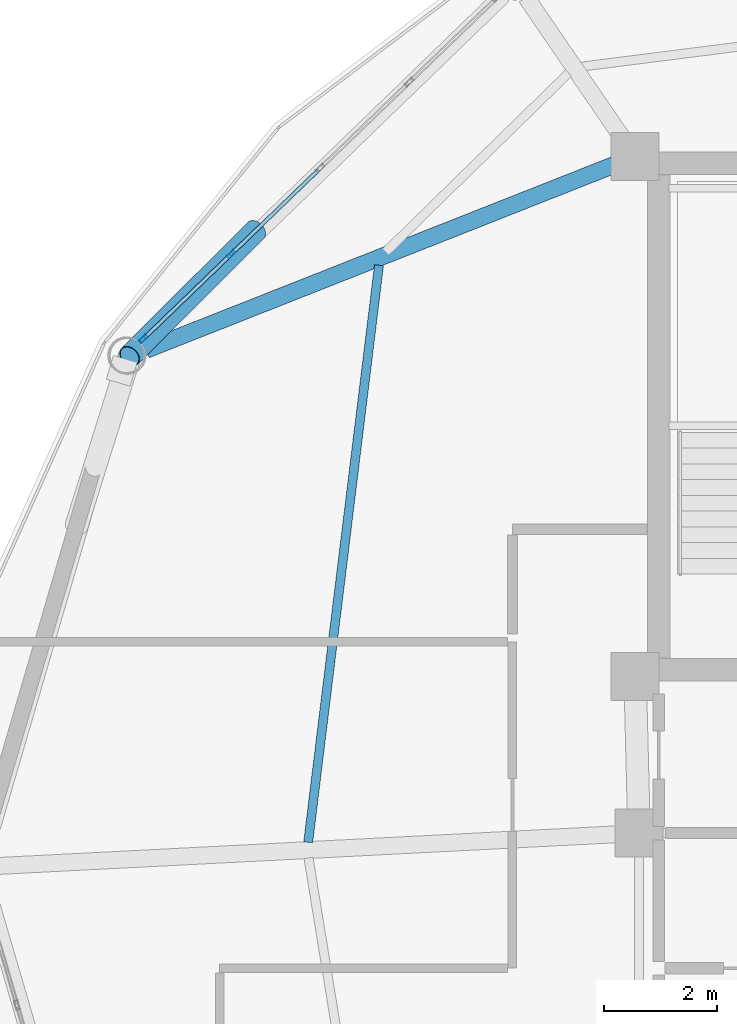
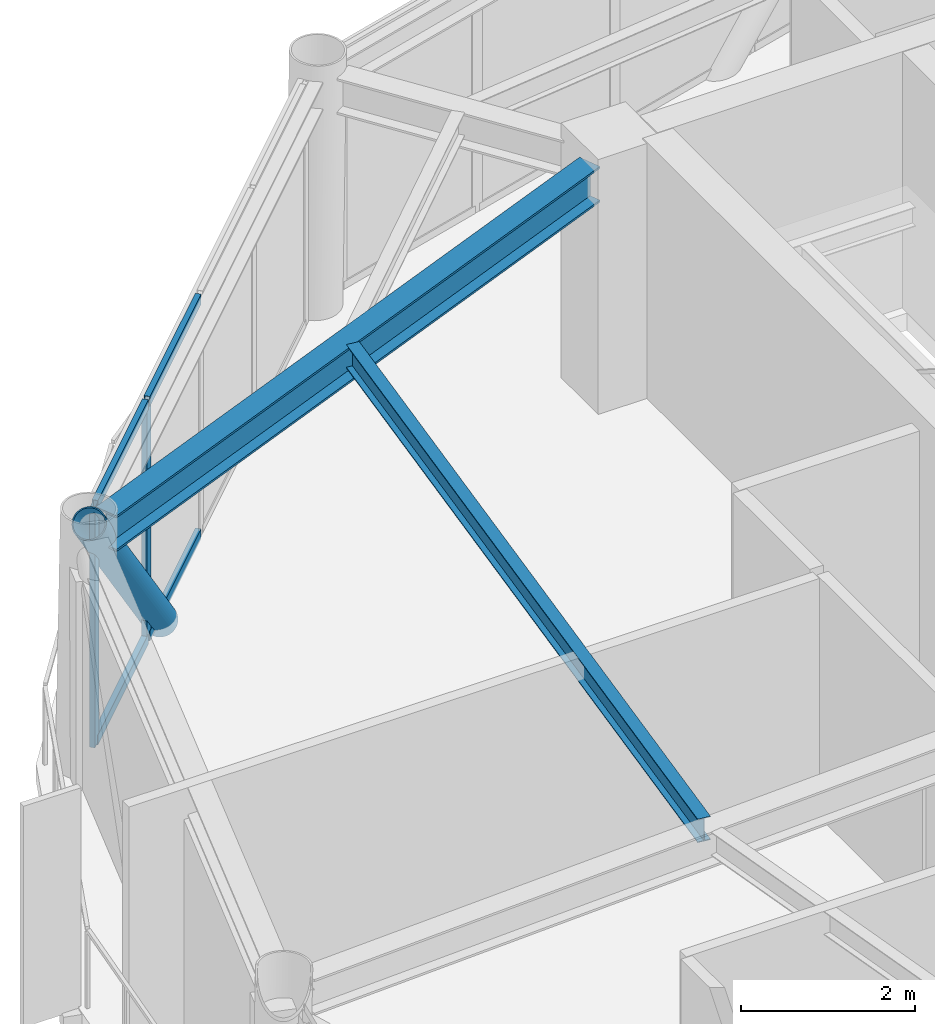
# One storey, part 12 of 26: 7 members, 2 beams, 1 element without a shape of its own.
"""IFC4 building model written with IfcOpenShell, lengths in metres."""

from ifc_helpers import new_model, si_unit, direction, frame, origin, origin_2d, place, context, subcontext, project, spatial, hollow_rectangle, hollow_circle, i_section, extrude, material, layer, layer_set, material_profile, profile_set, type_object, element, aggregate, save


model = new_model("IFC4")

# Units and contexts
model_context = context("Model", 3, precision=1e-05, world=origin(), true_north=direction((0.0, 1.0)))
body_context = subcontext(model_context, "Body", "Model", "MODEL_VIEW")
ifc_project = project(units=[si_unit("LENGTHUNIT", "METRE"), si_unit("AREAUNIT", "SQUARE_METRE"), si_unit("VOLUMEUNIT", "CUBIC_METRE"), si_unit("PLANEANGLEUNIT", "RADIAN"), si_unit("MASSUNIT", "GRAM", prefix="KILO")], contexts=[model_context])

# Site, building, storey
site_placement = place(None, origin())
site = spatial("IfcSite", under=ifc_project, at=site_placement, CompositionType="ELEMENT")
building_placement = place(site_placement, origin())
building = spatial("IfcBuilding", under=site, at=building_placement, Name="Varnakorn Sky Granary", CompositionType="ELEMENT")
storey_placement = place(building_placement, frame((0.0, 0.0, 222.0)))
storey = spatial("IfcBuildingStorey", under=building, at=storey_placement, Name="L56", CompositionType="ELEMENT", Elevation=222.0)

# Beams
ifc_material_1 = material(Name="Steel S355JR", Category="steel")
ifc_material_profile_1 = material_profile(ifc_material_1, i_section(OverallWidth=0.300048828125, OverallDepth=0.5, WebThickness=0.014404296875, FlangeThickness=0.028076171875, at=origin_2d()), Name="HE 500 B")
ifc_profile_set_1 = profile_set([ifc_material_profile_1], Name="Steel S355JR")
beam_type_1 = type_object("IfcBeamType", Name="BM-RAD-Z4", PredefinedType="BEAM", material=ifc_profile_set_1)
beam_1_placement = place(storey_placement, frame((-2.796630859375, 12.47119140625, 3.110107421875), z_axis=(-0.930022602979, -0.367502323732, 0.0), x_axis=(0.367502323732, -0.930022602979, 0.0)))
element("IfcBeam", 1, at=beam_1_placement, inside=storey, type_object=beam_type_1, Name="Radial Floor Girder RG06 L56", PredefinedType="BEAM", context=body_context, shape_type="SweptSolid", body=[
    extrude(i_section(OverallWidth=0.300048828125, OverallDepth=0.5, WebThickness=0.014404296875, FlangeThickness=0.028076171875, at=origin_2d()), origin(), (0.0, 0.0, 1.0), 8.9384765625),
])
ifc_material_profile_2 = material_profile(ifc_material_1, i_section(OverallWidth=0.159912109375, OverallDepth=0.330078125, WebThickness=0.007568359375, FlangeThickness=0.011474609375, at=origin_2d()), Name="IPE 330")
ifc_profile_set_2 = profile_set([ifc_material_profile_2], Name="Steel S355JR")
beam_type_2 = type_object("IfcBeamType", Name="BM-SEC-Z4", PredefinedType="BEAM", material=ifc_profile_set_2)
beam_2_placement = place(storey_placement, frame((-6.97021484375, 10.689697265625, 3.195068359375), z_axis=(-0.121858623303, -0.992547467846, 0.0), x_axis=(0.992547467846, -0.121858623303, 0.0)))
element("IfcBeam", 2, at=beam_2_placement, inside=storey, type_object=beam_type_2, Name="Secondary Floor Chord Beam MSB06 L56", PredefinedType="BEAM", context=body_context, shape_type="SweptSolid", body=[
    extrude(i_section(OverallWidth=0.159912109375, OverallDepth=0.330078125, WebThickness=0.007568359375, FlangeThickness=0.011474609375, at=origin_2d()), origin(), (0.0, 0.0, 1.0), 10.329833984375),
])

# Curtain wall, members
ifc_material_2 = material(Name="Anodised Bronze Aluminium Alloy 6063-T6", Category="aluminium")
ifc_layer = layer(ifc_material_2, 0.169921875, Name="Anodised Bronze Aluminium Alloy 6063-T6")
ifc_layer_set = layer_set([ifc_layer], Name="Anodised Bronze Aluminium Alloy 6063-T6")
curtain_wall_type = type_object("IfcCurtainWallType", Name="CW-LAB-1", PredefinedType="USERDEFINED", material=ifc_layer_set)
curtain_wall_placement = place(storey_placement, origin())
curtain_wall = element("IfcCurtainWall", 3, at=curtain_wall_placement, inside=storey, type_object=curtain_wall_type, Name="Unitised Curtain Wall CW5 CW-L56-B05", ObjectType="CURTAIN WALL", PredefinedType="USERDEFINED")
ifc_material_profile_3 = material_profile(ifc_material_2, hollow_rectangle(XDim=0.06494140625, YDim=0.159912109375, WallThickness=0.00341796875, at=origin_2d()), Name="ALU MULL 65x160")
ifc_profile_set_3 = profile_set([ifc_material_profile_3], Name="Anodised Bronze Aluminium Alloy 6063-T6")
member_type_1 = type_object("IfcMemberType", Name="CW-LAB-1-MULL", PredefinedType="MULLION", material=ifc_profile_set_3)
member_1_placement = place(storey_placement, frame((-11.15673828125, 9.380859375, 0.0), z_axis=(0.0, 0.0, 1.0), x_axis=(-0.694404067281, 0.719585291222, 0.0)))
member_1 = element("IfcMember", 4, at=member_1_placement, type_object=member_type_1, Name="CW5 mullion 1", PredefinedType="MULLION", context=body_context, shape_type="SweptSolid", body=[
    extrude(hollow_rectangle(XDim=0.06494140625, YDim=0.159912109375, WallThickness=0.00341796875, at=origin_2d()), origin(), (0.0, 0.0, 1.0), 3.360107421875),
])
member_2_placement = place(storey_placement, frame((-9.596923828125, 10.885986328125, 0.0), z_axis=(0.0, 0.0, 1.0), x_axis=(-0.694404067281, 0.719585291222, 0.0)))
member_2 = element("IfcMember", 5, at=member_2_placement, type_object=member_type_1, Name="CW5 mullion 2", PredefinedType="MULLION", context=body_context, shape_type="SweptSolid", body=[
    extrude(hollow_rectangle(XDim=0.06494140625, YDim=0.159912109375, WallThickness=0.00341796875, at=origin_2d()), origin(), (0.0, 0.0, 1.0), 3.360107421875),
])
ifc_material_profile_4 = material_profile(ifc_material_2, hollow_rectangle(XDim=0.070068359375, YDim=0.139892578125, WallThickness=0.00341796875, at=origin_2d()), Name="ALU TRAN 70x140")
ifc_profile_set_4 = profile_set([ifc_material_profile_4], Name="Anodised Bronze Aluminium Alloy 6063-T6")
member_type_2 = type_object("IfcMemberType", Name="CW-LAB-1-TRAN", PredefinedType="USERDEFINED", material=ifc_profile_set_4)
member_3_placement = place(storey_placement, frame((-11.13330078125, 9.4033203125, 0.034912109375), z_axis=(0.71953549209, 0.69445566858, 0.0), x_axis=(-0.69445566858, 0.71953549209, 0.0)))
member_3 = element("IfcMember", 6, at=member_3_placement, type_object=member_type_2, Name="CW5 transom 1.1", ObjectType="TRANSOM", PredefinedType="USERDEFINED", context=body_context, shape_type="SweptSolid", body=[
    extrude(hollow_rectangle(XDim=0.070068359375, YDim=0.139892578125, WallThickness=0.00341796875, at=origin_2d()), origin(), (0.0, 0.0, 1.0), 2.102783203125),
])
member_4_placement = place(storey_placement, frame((-11.13330078125, 9.4033203125, 3.324951171875), z_axis=(0.71953549209, 0.69445566858, 0.0), x_axis=(-0.69445566858, 0.71953549209, 0.0)))
member_4 = element("IfcMember", 7, at=member_4_placement, type_object=member_type_2, Name="CW5 transom 1.2", ObjectType="TRANSOM", PredefinedType="USERDEFINED", context=body_context, shape_type="SweptSolid", body=[
    extrude(hollow_rectangle(XDim=0.070068359375, YDim=0.139892578125, WallThickness=0.00341796875, at=origin_2d()), origin(), (0.0, 0.0, 1.0), 2.102783203125),
])
member_5_placement = place(storey_placement, frame((-9.573486328125, 10.90869140625, 0.034912109375), z_axis=(0.719574848382, 0.694414888648, 0.0), x_axis=(-0.694414888648, 0.719574848382, 0.0)))
member_5 = element("IfcMember", 8, at=member_5_placement, type_object=member_type_2, Name="CW5 transom 2.1", ObjectType="TRANSOM", PredefinedType="USERDEFINED", context=body_context, shape_type="SweptSolid", body=[
    extrude(hollow_rectangle(XDim=0.070068359375, YDim=0.139892578125, WallThickness=0.00341796875, at=origin_2d()), origin(), (0.0, 0.0, 1.0), 2.134765625),
])
member_6_placement = place(storey_placement, frame((-9.573486328125, 10.90869140625, 3.324951171875), z_axis=(0.719574848382, 0.694414888648, 0.0), x_axis=(-0.694414888648, 0.719574848382, 0.0)))
member_6 = element("IfcMember", 9, at=member_6_placement, type_object=member_type_2, Name="CW5 transom 2.2", ObjectType="TRANSOM", PredefinedType="USERDEFINED", context=body_context, shape_type="SweptSolid", body=[
    extrude(hollow_rectangle(XDim=0.070068359375, YDim=0.139892578125, WallThickness=0.00341796875, at=origin_2d()), origin(), (0.0, 0.0, 1.0), 2.134765625),
])
aggregate(curtain_wall, [member_1, member_2, member_3, member_4, member_5, member_6])

# Member
ifc_material_3 = material(Name="Steel S460M", Category="steel")
ifc_material_profile_5 = material_profile(ifc_material_3, hollow_circle(Radius=0.203125, WallThickness=0.01611328125, at=origin_2d()), Name="CHS 406.4x16")
ifc_profile_set_5 = profile_set([ifc_material_profile_5], Name="Steel S460M")
member_type_3 = type_object("IfcMemberType", Name="MB-DIAG-T4", PredefinedType="BRACE", material=ifc_profile_set_5)
member_7_placement = place(storey_placement, frame((-9.162841796875, 11.304931640625, -0.1298828125), z_axis=(-0.475478240054, -0.474338004466, 0.740893987527), x_axis=(0.70625740459, -0.707955138736, 0.0)))
element("IfcMember", 10, at=member_7_placement, inside=storey, type_object=member_type_3, Name="Perimeter CHS Diagrid Brace DG05 L56", PredefinedType="BRACE", context=body_context, shape_type="SweptSolid", body=[
    extrude(hollow_circle(Radius=0.203125, WallThickness=0.01611328125, at=origin_2d()), origin(), (0.0, 0.0, 1.0), 4.71044921875),
])

save(model, "model.ifc")
